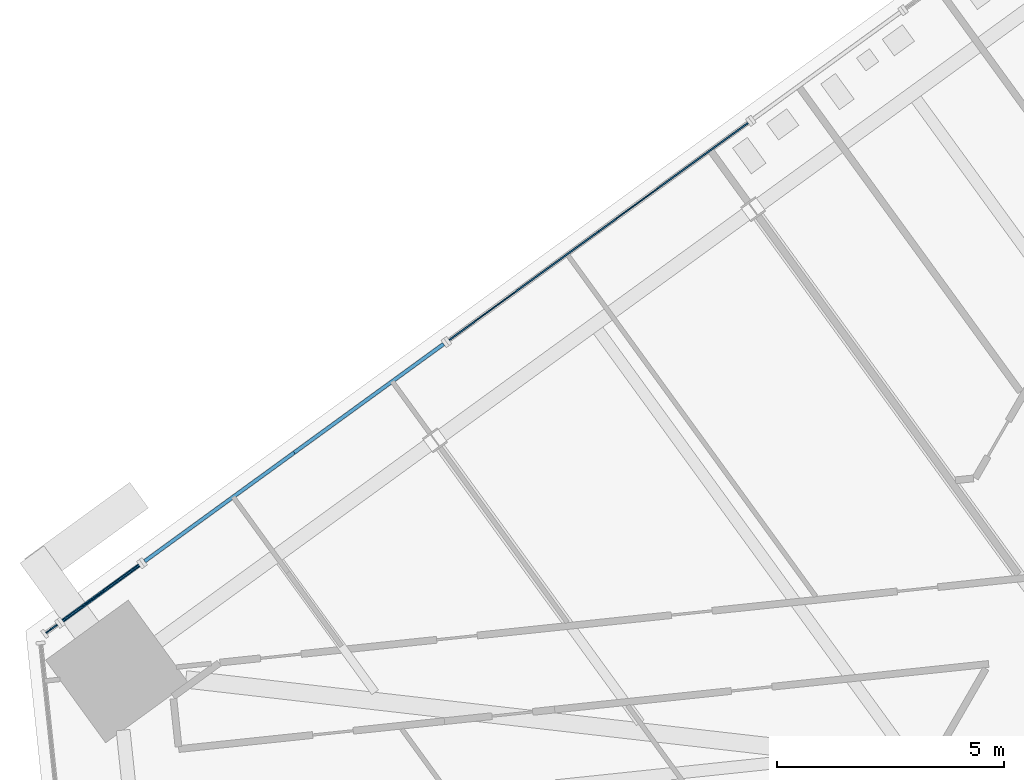
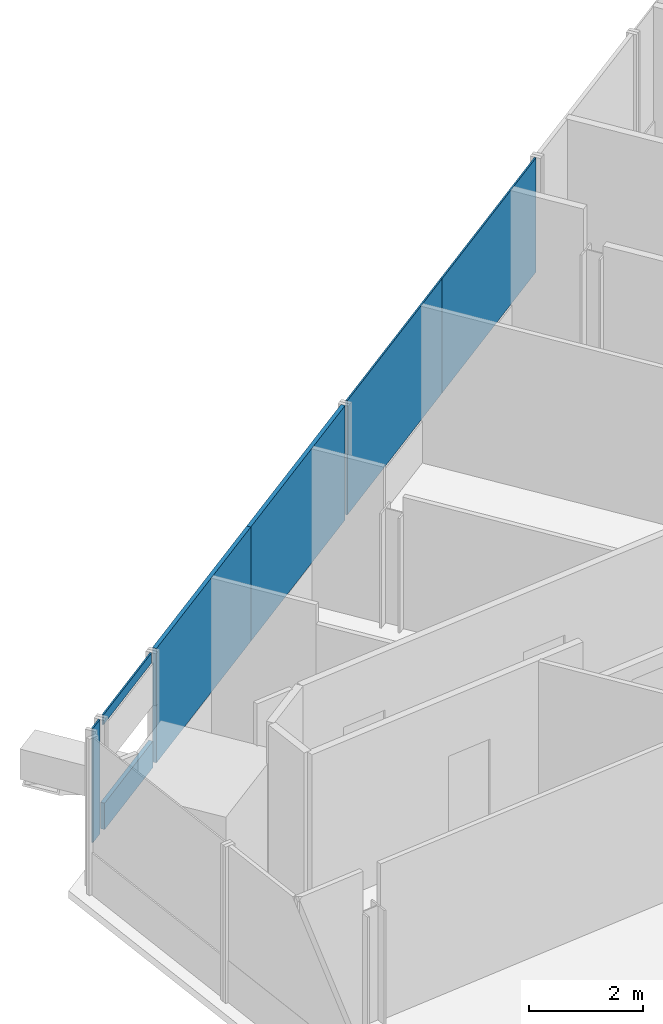
# One storey, part 15 of 25: 7 plates, 5 elements without a shape of their own.
"""IFC4 building model written with IfcOpenShell, lengths in metres."""

from ifc_helpers import new_model, si_unit, direction, frame, origin, origin_2d, place, context, subcontext, project, spatial, rectangle, extrude, source, transform, mapped, material, layer, layer_set, type_object, element, aggregate, save


model = new_model("IFC4")

# Units and contexts
model_context = context("Model", 3, precision=1e-05, world=origin(), true_north=direction((0.0, 1.0)))
body_context = subcontext(model_context, "Body", "Model", "MODEL_VIEW")
ifc_project = project(units=[si_unit("LENGTHUNIT", "METRE"), si_unit("AREAUNIT", "SQUARE_METRE"), si_unit("VOLUMEUNIT", "CUBIC_METRE"), si_unit("PLANEANGLEUNIT", "RADIAN"), si_unit("MASSUNIT", "GRAM", prefix="KILO")], contexts=[model_context])

# Site, building, storey
site_placement = place(None, origin())
site = spatial("IfcSite", under=ifc_project, at=site_placement, CompositionType="ELEMENT")
building_placement = place(site_placement, origin())
building = spatial("IfcBuilding", under=site, at=building_placement, Name="Triune Harvest Tower", CompositionType="ELEMENT")
storey_placement = place(building_placement, frame((0.0, 0.0, 90.89990234375)))
storey = spatial("IfcBuildingStorey", under=building, at=storey_placement, Name="L22", CompositionType="ELEMENT", Elevation=90.89990234375)

# Curtain wall, plate
ifc_material_1 = material(Name="Aluminium bronze anodised", Category="aluminium")
curtain_wall_type_1 = type_object("IfcCurtainWallType", Name="CW-1 Tower stick curtain wall", PredefinedType="NOTDEFINED", material=ifc_material_1)
curtain_wall_1_placement = place(storey_placement, origin())
curtain_wall_1 = element("IfcCurtainWall", 1, at=curtain_wall_1_placement, inside=storey, type_object=curtain_wall_type_1, Name="CW-1 B2-F3 L22 run 401")
ifc_material_2 = material(Name="Glass", Category="glass")
ifc_layer_1 = layer(ifc_material_2, 0.031982421875)
ifc_layer_set_1 = layer_set([ifc_layer_1], Name="Glass")
plate_type_1 = type_object("IfcPlateType", Name="GL-1 panel 32", PredefinedType="CURTAIN_PANEL", material=ifc_layer_set_1)
plate_1_placement = place(storey_placement, frame((-33.7734375, 3.518310546875, 3.13525390625), z_axis=(0.0, 0.0, 1.0), x_axis=(-0.809016797775, -0.587785522888, 0.0)))
plate_1 = element("IfcPlate", 2, at=plate_1_placement, type_object=plate_type_1, Name="CW-1 panel B2-F3 401.1", PredefinedType="CURTAIN_PANEL", context=body_context, shape_type="SweptSolid", body=[
    extrude(rectangle(XDim=2.0830078125, YDim=0.031982421875, at=origin_2d()), origin(), (0.0, 0.0, 1.0), 0.215087890625),
])
aggregate(curtain_wall_1, [plate_1])

curtain_wall_2_placement = place(storey_placement, origin())
curtain_wall_2 = element("IfcCurtainWall", 3, at=curtain_wall_2_placement, inside=storey, type_object=curtain_wall_type_1, Name="CW-1 B2-F3 L22 run 501")
plate_2_placement = place(storey_placement, frame((-34.859375, 2.729248046875, 0.89990234375), z_axis=(0.0, 0.0, 1.0), x_axis=(-0.808994505309, -0.587816204591, 0.0)))
plate_2 = element("IfcPlate", 4, at=plate_2_placement, type_object=plate_type_1, Name="CW-1 panel B2-F3 501.1", PredefinedType="CURTAIN_PANEL", context=body_context, shape_type="SweptSolid", body=[
    extrude(rectangle(XDim=0.3017578125, YDim=0.031982421875, at=origin_2d()), origin(), (0.0, 0.0, 1.0), 2.449951171875),
])
aggregate(curtain_wall_2, [plate_2])

ifc_material_3 = material(Name="Aluminium bronze anodised", Category="aluminium")
curtain_wall_type_2 = type_object("IfcCurtainWallType", Name="CW-7 Tower stick curtain wall with insulated spandrel infill", PredefinedType="NOTDEFINED", material=ifc_material_3)
curtain_wall_3_placement = place(storey_placement, origin())
curtain_wall_3 = element("IfcCurtainWall", 5, at=curtain_wall_3_placement, inside=storey, type_object=curtain_wall_type_2, Name="CW-7 B2-F3 L22 run 301")
ifc_material_4 = material(Name="Insulated spandrel panel, bronze aluminium pan", Category="aluminium")
ifc_layer_2 = layer(ifc_material_4, 0.080078125)
ifc_layer_set_2 = layer_set([ifc_layer_2], Name="Insulated spandrel panel, bronze aluminium pan")
plate_type_2 = type_object("IfcPlateType", Name="SP-1 insulated spandrel panel 80", PredefinedType="CURTAIN_PANEL", material=ifc_layer_set_2)
plate_3_placement = place(storey_placement, frame((-33.7734375, 3.518310546875, 0.900146484375), z_axis=(0.0, 0.0, 1.0), x_axis=(-0.809016797775, -0.587785522888, 0.0)))
plate_3 = element("IfcPlate", 6, at=plate_3_placement, type_object=plate_type_2, Name="CW-7 panel B2-F3 301.1", PredefinedType="CURTAIN_PANEL", context=body_context, shape_type="SweptSolid", body=[
    extrude(rectangle(XDim=2.0830078125, YDim=0.080078125, at=origin_2d()), origin(), (0.0, 0.0, 1.0), 0.56494140625),
])
aggregate(curtain_wall_3, [plate_3])

# Curtain wall, plates
curtain_wall_4_placement = place(storey_placement, origin())
curtain_wall_4 = element("IfcCurtainWall", 7, at=curtain_wall_4_placement, inside=storey, type_object=curtain_wall_type_1, Name="CW-1 B2-F3 L22 run 5201")
shared_shape_1 = source(origin(), body_context, "Body", "SweptSolid", [
    extrude(rectangle(XDim=4.070068359375, YDim=0.031982421875, at=origin_2d()), origin(), (0.0, 0.0, 1.0), 2.449951171875),
])
plate_4_placement = place(storey_placement, frame((-21.16357421875, 12.6796875, 0.89990234375), z_axis=(0.0, 0.0, 1.0), x_axis=(-0.809021320956, -0.587779297219, 0.0)))
plate_4 = element("IfcPlate", 8, at=plate_4_placement, type_object=plate_type_1, Name="CW-1 panel B2-F3 5201.1", PredefinedType="CURTAIN_PANEL", context=body_context, shape_type="MappedRepresentation", body=[
    mapped(shared_shape_1, transform((0.0, 0.0, 0.0), scale=1.0)),
])
plate_5_placement = place(storey_placement, frame((-24.456298828125, 10.28759765625, 0.89990234375), z_axis=(0.0, 0.0, 1.0), x_axis=(-0.809021320956, -0.587779297219, 0.0)))
plate_5 = element("IfcPlate", 9, at=plate_5_placement, type_object=plate_type_1, Name="CW-1 panel B2-F3 5201.2", PredefinedType="CURTAIN_PANEL", context=body_context, shape_type="MappedRepresentation", body=[
    mapped(shared_shape_1, transform((0.0, 0.0, 0.0), scale=1.0)),
])
aggregate(curtain_wall_4, [plate_4, plate_5])

curtain_wall_5_placement = place(storey_placement, origin())
curtain_wall_5 = element("IfcCurtainWall", 10, at=curtain_wall_5_placement, inside=storey, type_object=curtain_wall_type_2, Name="CW-7 B2-F3 L22 run 6201")
shared_shape_2 = source(origin(), body_context, "Body", "SweptSolid", [
    extrude(rectangle(XDim=4.070068359375, YDim=0.080078125, at=origin_2d()), origin(), (0.0, 0.0, 1.0), 2.449951171875),
])
plate_6_placement = place(storey_placement, frame((-27.870361328125, 7.80712890625, 0.89990234375), z_axis=(0.0, 0.0, 1.0), x_axis=(-0.809015584825, -0.587787192366, 0.0)))
plate_6 = element("IfcPlate", 11, at=plate_6_placement, type_object=plate_type_2, Name="CW-7 panel B2-F3 6201.1", PredefinedType="CURTAIN_PANEL", context=body_context, shape_type="MappedRepresentation", body=[
    mapped(shared_shape_2, transform((0.0, 0.0, 0.0), scale=1.0)),
])
plate_7_placement = place(storey_placement, frame((-31.1630859375, 5.414794921875, 0.89990234375), z_axis=(0.0, 0.0, 1.0), x_axis=(-0.809015584825, -0.587787192366, 0.0)))
plate_7 = element("IfcPlate", 12, at=plate_7_placement, type_object=plate_type_2, Name="CW-7 panel B2-F3 6201.2", PredefinedType="CURTAIN_PANEL", context=body_context, shape_type="MappedRepresentation", body=[
    mapped(shared_shape_2, transform((0.0, 0.0, 0.0), scale=1.0)),
])
aggregate(curtain_wall_5, [plate_6, plate_7])

save(model, "model.ifc")
